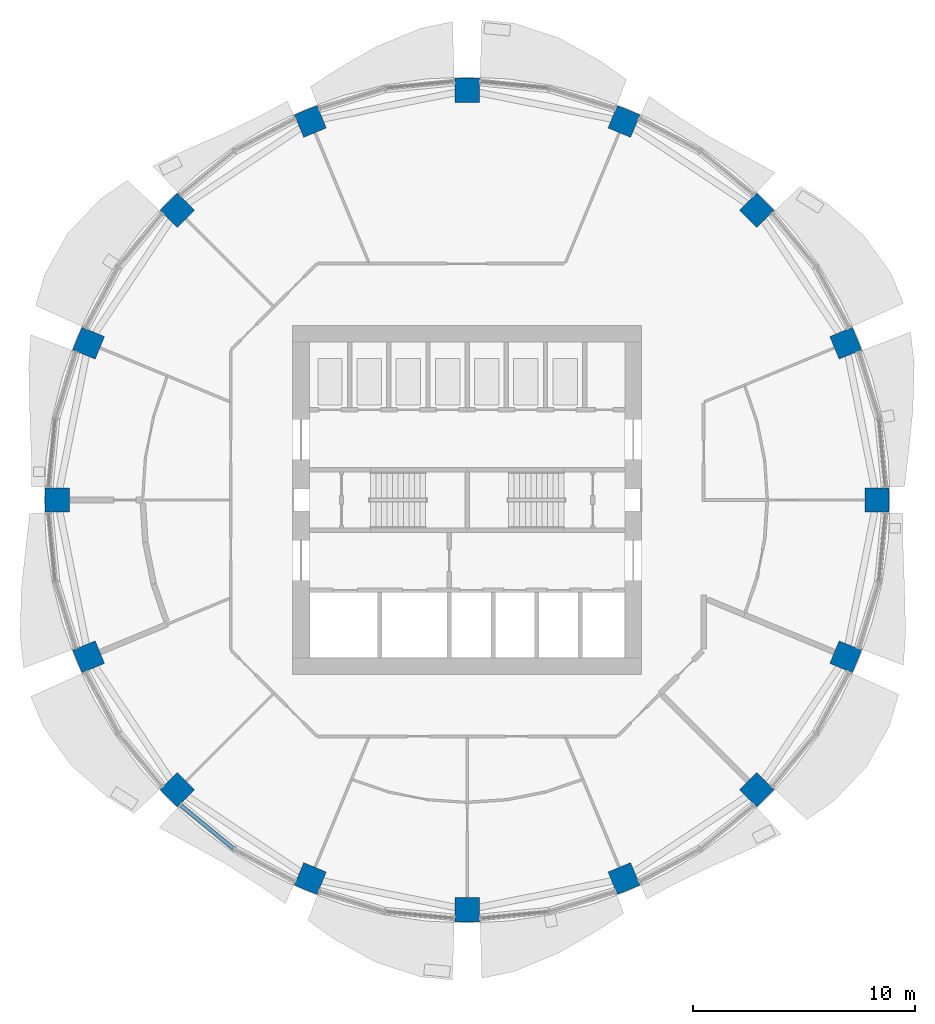
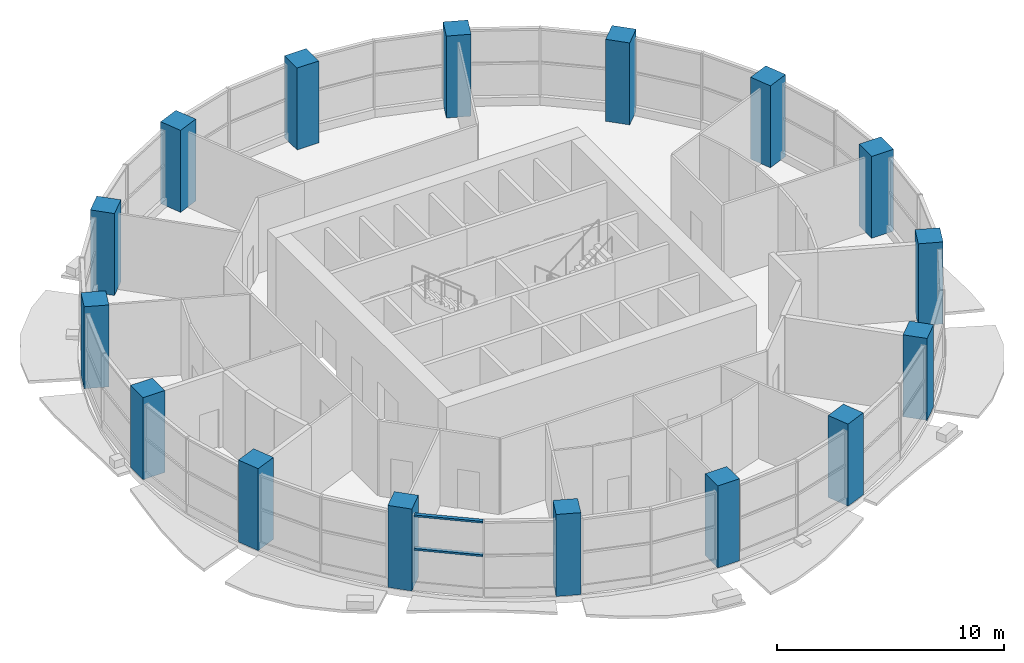
# One storey, part 1 of 13: 16 columns, 2 members, 1 element without a shape of its own.
"""IFC4 building model written with IfcOpenShell, lengths in metres."""

from ifc_helpers import new_model, si_unit, direction, frame, origin, origin_2d, place, context, subcontext, project, spatial, rectangle, extrude, material, material_profile, profile_set, type_object, element, aggregate, save


model = new_model("IFC4")

# Units and contexts
model_context = context("Model", 3, precision=1e-05, world=origin(), true_north=direction((0.0, 1.0)))
body_context = subcontext(model_context, "Body", "Model", "MODEL_VIEW")
ifc_project = project(units=[si_unit("LENGTHUNIT", "METRE"), si_unit("AREAUNIT", "SQUARE_METRE"), si_unit("VOLUMEUNIT", "CUBIC_METRE"), si_unit("PLANEANGLEUNIT", "RADIAN"), si_unit("MASSUNIT", "GRAM", prefix="KILO")], contexts=[model_context])

# Site, building, storey
site_placement = place(None, origin())
site = spatial("IfcSite", under=ifc_project, at=site_placement, CompositionType="ELEMENT")
building_placement = place(site_placement, origin())
building = spatial("IfcBuilding", under=site, at=building_placement, Name="Polderwave Tower", CompositionType="ELEMENT")
storey_placement = place(building_placement, frame((0.0, 0.0, 116.550048828125)))
storey = spatial("IfcBuildingStorey", under=building, at=storey_placement, Name="L30", CompositionType="ELEMENT", Elevation=116.550048828125)

# Columns
ifc_material_1 = material(Name="Concrete C70/85", Category="concrete")
ifc_material_profile_1 = material_profile(ifc_material_1, rectangle(XDim=1.10009765625, YDim=1.10009765625, at=origin_2d()), Name="RC 1100x1100")
ifc_profile_set_1 = profile_set([ifc_material_profile_1], Name="Concrete C70/85")
column_type = type_object("IfcColumnType", Name="RC COLUMN 1100x1100 C70/85", PredefinedType="COLUMN", material=ifc_profile_set_1)
for number, where, z_axis, x_axis, name in (
    (1, (18.5, 0.0, 0.0), (0.0, 0.0, 1.0), (1.0, 0.0, 0.0), "Ring column 01"),
    (2, (17.091796875, 7.07958984375, 0.0), (0.0, 0.0, 1.0), (0.923879532511, 0.382683432365, 0.0), "Ring column 02"),
    (3, (13.08154296875, 13.08154296875, 0.0), (0.0, 0.0, 1.0), (0.707106781187, 0.707106781187, 0.0), "Ring column 03"),
    (4, (7.07958984375, 17.091796875, 0.0), (0.0, 0.0, 1.0), (0.382683432365, 0.923879532511, 0.0), "Ring column 04"),
    (5, (0.0, 18.5, 0.0), (0.0, 0.0, 1.0), (0.0, 1.0, 0.0), "Ring column 05"),
    (6, (-7.07958984375, 17.091796875, 0.0), (0.0, 0.0, 1.0), (-0.382683432365, 0.923879532511, 0.0), "Ring column 06"),
    (7, (-13.08154296875, 13.08154296875, 0.0), (0.0, 0.0, 1.0), (-0.707106781187, 0.707106781187, 0.0), "Ring column 07"),
    (8, (-17.091796875, 7.07958984375, 0.0), (0.0, 0.0, 1.0), (-0.923879532511, 0.382683432365, 0.0), "Ring column 08"),
    (9, (-18.5, 0.0, 0.0), (0.0, 0.0, 1.0), (-1.0, 0.0, 0.0), "Ring column 09"),
    (10, (-17.091796875, -7.07958984375, 0.0), (0.0, 0.0, 1.0), (-0.923879532511, -0.382683432365, 0.0), "Ring column 10"),
    (11, (-13.08154296875, -13.08154296875, 0.0), (0.0, 0.0, 1.0), (-0.707106781187, -0.707106781187, 0.0), "Ring column 11"),
    (12, (-7.07958984375, -17.091796875, 0.0), (0.0, 0.0, 1.0), (-0.382683432365, -0.923879532511, 0.0), "Ring column 12"),
    (13, (0.0, -18.5, 0.0), (0.0, 0.0, 1.0), (0.0, -1.0, 0.0), "Ring column 13"),
    (14, (7.07958984375, -17.091796875, 0.0), (0.0, 0.0, 1.0), (0.382683432365, -0.923879532511, 0.0), "Ring column 14"),
    (15, (13.08154296875, -13.08154296875, 0.0), (0.0, 0.0, 1.0), (0.707106781187, -0.707106781187, 0.0), "Ring column 15"),
    (16, (17.091796875, -7.07958984375, 0.0), (0.0, 0.0, 1.0), (0.923879532511, -0.382683432365, 0.0), "Ring column 16"),
):
    element("IfcColumn", number, at=place(storey_placement, frame(where, z_axis=z_axis, x_axis=x_axis)), inside=storey, type_object=column_type, Name=name, PredefinedType="COLUMN", context=body_context, shape_type="SweptSolid", body=[
        extrude(rectangle(XDim=1.10009765625, YDim=1.10009765625, at=origin_2d()), origin(), (0.0, 0.0, 1.0), 4.39990234375),
    ])

# Curtain wall, members
ifc_material_2 = material(Name="Aluminium 6063-T6 and glass", Category="aluminium")
curtain_wall_type = type_object("IfcCurtainWallType", Name="Sky floor glazing wall", PredefinedType="NOTDEFINED", material=ifc_material_2)
curtain_wall_placement = place(storey_placement, origin())
curtain_wall = element("IfcCurtainWall", 17, at=curtain_wall_placement, inside=storey, type_object=curtain_wall_type, Name="CW4 L30 10", PredefinedType="NOTDEFINED")
ifc_material_3 = material(Name="Aluminium 6063-T6", Category="aluminium")
ifc_material_profile_2 = material_profile(ifc_material_3, rectangle(XDim=0.179931640625, YDim=0.10009765625, at=origin_2d()), Name="AL 100x180")
ifc_profile_set_2 = profile_set([ifc_material_profile_2], Name="Aluminium 6063-T6")
member_type = type_object("IfcMemberType", Name="Sky floor glazing transom 100x180", PredefinedType="USERDEFINED", material=ifc_profile_set_2)
member_1_placement = place(storey_placement, frame((-12.9140625, -13.797607421875, 2.199951171875), z_axis=(0.772996857849, -0.634409849984, 0.0), x_axis=(0.634409849984, 0.772996857849, 0.0)))
member_1 = element("IfcMember", 18, at=member_1_placement, type_object=member_type, Name="CW4 transom 1", ObjectType="TRANSOM", PredefinedType="USERDEFINED", context=body_context, shape_type="SweptSolid", body=[
    extrude(rectangle(XDim=0.179931640625, YDim=0.10009765625, at=origin_2d()), origin(), (0.0, 0.0, 1.0), 3.04931640625),
])
member_2_placement = place(storey_placement, frame((-12.9140625, -13.797607421875, 4.0), z_axis=(0.772996857849, -0.634409849984, 0.0), x_axis=(0.634409849984, 0.772996857849, 0.0)))
member_2 = element("IfcMember", 19, at=member_2_placement, type_object=member_type, Name="CW4 transom 2", ObjectType="TRANSOM", PredefinedType="USERDEFINED", context=body_context, shape_type="SweptSolid", body=[
    extrude(rectangle(XDim=0.179931640625, YDim=0.10009765625, at=origin_2d()), origin(), (0.0, 0.0, 1.0), 3.04931640625),
])
aggregate(curtain_wall, [member_1, member_2])

save(model, "model.ifc")
